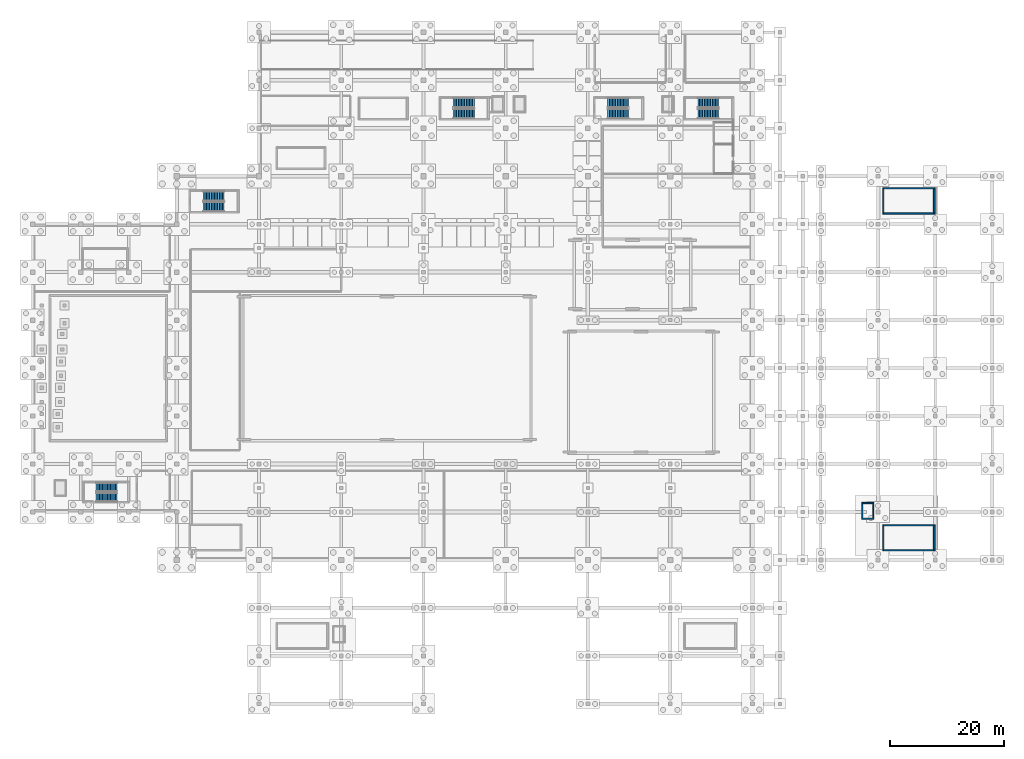
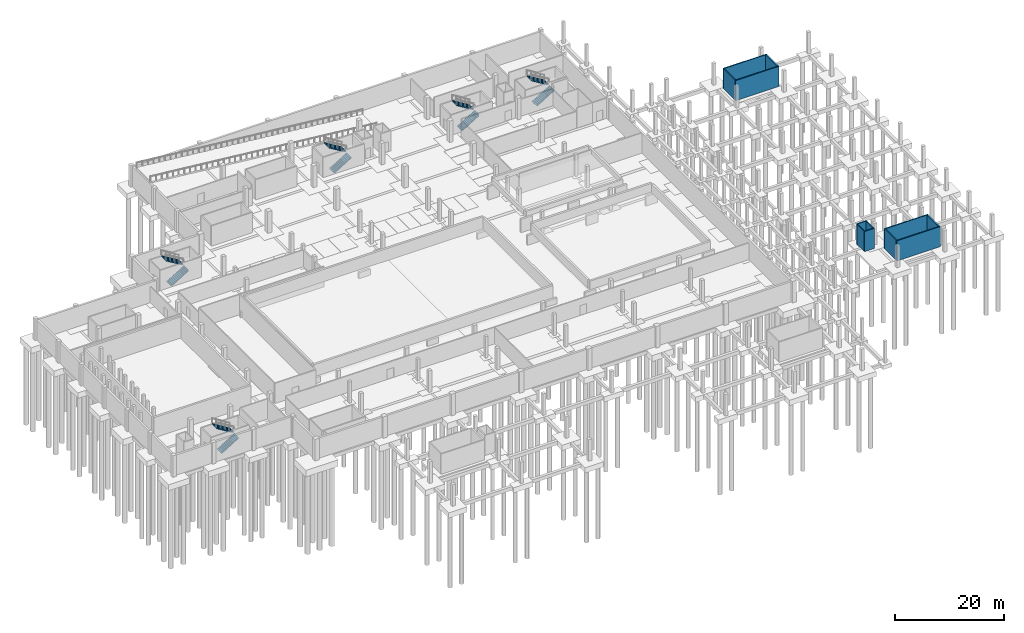
# One storey, part 19 of 26: 12 walls, 10 stair flights, 5 elements without a shape of their own.
"""IFC4 building model written with IfcOpenShell, lengths in metres."""

import ifcopenshell
import ifcopenshell.guid

model = None  # the IFC model being written
_history = None  # IfcOwnerHistory: only IFC2X3 demands one
_inside = {}  # id of a spatial element -> (the spatial element, [elements in it])
_under = {}  # id of a project, library or spatial element -> (it, [spatial elements below it])
_declared = {}  # id of a project -> (the project, [libraries it declares])
_typed = {}  # id of a type object -> (the type object, [elements of that type])
_made_of = {}  # id of a material, layer set ... -> (it, [elements and type objects made of it])


def new_model(schema):
    """Start an empty IFC model of exactly this schema.

    Asked for "IFC4X3", IfcOpenShell would pick the latest addendum, in which some entities
    have other attributes; the version numbers below select the first issue.
    IFC2X3 requires an IfcOwnerHistory on every rooted entity: one is made here for all.
    """
    global model, _history
    if schema == "IFC4X3":
        model = ifcopenshell.file(schema_version=(4, 3, 0, 0))
    else:
        model = ifcopenshell.file(schema=schema)
    _inside.clear()
    _under.clear()
    _declared.clear()
    _typed.clear()
    _made_of.clear()
    _history = None
    if model.schema == "IFC2X3":
        org = make("IfcOrganization", Name="unknown")
        user = make(
            "IfcPersonAndOrganization",
            ThePerson=make("IfcPerson", FamilyName="unknown"),
            TheOrganization=org,
        )
        app = make(
            "IfcApplication",
            ApplicationDeveloper=org,
            Version="unknown",
            ApplicationFullName="unknown",
            ApplicationIdentifier="unknown",
        )
        _history = make(
            "IfcOwnerHistory",
            OwningUser=user,
            OwningApplication=app,
            ChangeAction="ADDED",
            CreationDate=0,
        )
    return model


def make(cls, **values):
    """One entity of the class cls with the attributes given. An attribute that is None is left unset."""
    return model.create_entity(
        cls, **{name: value for name, value in values.items() if value is not None}
    )


def rooted(cls, **values):
    """An entity with a GlobalId (a new one), such as an element, a storey or a relation."""
    return make(cls, GlobalId=ifcopenshell.guid.new(), OwnerHistory=_history, **values)


def si_unit(unit_type, name, prefix=None):
    """IfcSIUnit, for example si_unit("LENGTHUNIT", "METRE", prefix="MILLI")."""
    return make("IfcSIUnit", UnitType=unit_type, Prefix=prefix, Name=name)


def assignment(units):
    """IfcUnitAssignment: the units of a project."""
    return None if units is None else make("IfcUnitAssignment", Units=units)


def point(xyz):
    """IfcCartesianPoint."""
    return None if xyz is None else make("IfcCartesianPoint", Coordinates=xyz)


def direction(xyz):
    """IfcDirection."""
    return None if xyz is None else make("IfcDirection", DirectionRatios=xyz)


def frame(location, z_axis=None, x_axis=None):
    """IfcAxis2Placement3D, a coordinate frame: its origin and axes. An axis left out is left unset."""
    return make(
        "IfcAxis2Placement3D",
        Location=point(location),
        Axis=direction(z_axis),
        RefDirection=direction(x_axis),
    )


def frame_2d(location, x_axis=None):
    """IfcAxis2Placement2D, a coordinate frame in the plane: its origin and x axis."""
    return make(
        "IfcAxis2Placement2D", Location=point(location), RefDirection=direction(x_axis)
    )


def origin():
    """The frame at (0, 0, 0) with its axes left unset."""
    return frame((0.0, 0.0, 0.0))


def place(relative_to, where):
    """IfcLocalPlacement: puts the frame where relative to a parent placement (None: the world)."""
    return make(
        "IfcLocalPlacement", PlacementRelTo=relative_to, RelativePlacement=where
    )


def context(
    kind, dimensions, precision=None, world=None, true_north=None, identifier=None
):
    """IfcGeometricRepresentationContext, for example the 3D "Model" context."""
    return make(
        "IfcGeometricRepresentationContext",
        ContextIdentifier=identifier,
        ContextType=kind,
        CoordinateSpaceDimension=dimensions,
        Precision=precision,
        WorldCoordinateSystem=world,
        TrueNorth=true_north,
    )


def subcontext(parent, identifier, kind, view, scale=None):
    """IfcGeometricRepresentationSubContext, for example "Body" below "Model"."""
    return make(
        "IfcGeometricRepresentationSubContext",
        ContextIdentifier=identifier,
        ContextType=kind,
        ParentContext=parent,
        TargetScale=scale,
        TargetView=view,
    )


def project(units=None, contexts=None):
    """IfcProject with its units and contexts."""
    return rooted(
        "IfcProject",
        Name="project",
        RepresentationContexts=contexts,
        UnitsInContext=assignment(units),
    )


def spatial(cls, under=None, at=None, **own):
    """A site, building, storey or space (cls), placed at a placement, below another one or the project."""
    s = rooted(cls, ObjectPlacement=at, **own)
    if under is not None:
        _under.setdefault(under.id(), (under, []))[1].append(s)
    return s


def polyline(points):
    """IfcPolyline through the points."""
    return make("IfcPolyline", Points=[point(p) for p in points])


def profile(cls, at=None, kind="AREA", **sizes):
    """A parametric profile (cls). Its sizes go by their IFC names, for example OverallWidth=200.0."""
    return make(cls, ProfileType=kind, Position=at, **sizes)


def rectangle(**sizes):
    """IfcRectangleProfileDef."""
    return profile("IfcRectangleProfileDef", **sizes)


def outline(outer, holes=None, kind="AREA"):
    """IfcArbitraryClosedProfileDef: a profile drawn as a closed curve; with holes, ...WithVoids."""
    if holes is None:
        return make("IfcArbitraryClosedProfileDef", ProfileType=kind, OuterCurve=outer)
    return make(
        "IfcArbitraryProfileDefWithVoids",
        ProfileType=kind,
        OuterCurve=outer,
        InnerCurves=holes,
    )


def extrude(swept, where, along, depth):
    """IfcExtrudedAreaSolid: the profile swept, set in the frame where, extruded along a direction by depth."""
    return make(
        "IfcExtrudedAreaSolid",
        SweptArea=swept,
        Position=where,
        ExtrudedDirection=direction(along),
        Depth=depth,
    )


def shape(context_of_items, identifier, shape_type, items):
    """IfcShapeRepresentation: the items that make up one representation, for example the "Body"."""
    return make(
        "IfcShapeRepresentation",
        ContextOfItems=context_of_items,
        RepresentationIdentifier=identifier,
        RepresentationType=shape_type,
        Items=items,
    )


def material(Name=None, Category=None):
    """IfcMaterial."""
    return make("IfcMaterial", Name=Name, Category=Category)


def layer(
    of_material, thickness, ventilated=None, Name=None, Category=None, Priority=None
):
    """IfcMaterialLayer: one layer of a wall or slab, of a material (None: an air gap)."""
    return make(
        "IfcMaterialLayer",
        Material=of_material,
        LayerThickness=thickness,
        IsVentilated=ventilated,
        Name=Name,
        Category=Category,
        Priority=Priority,
    )


def layer_set(layers, Name=None):
    """IfcMaterialLayerSet."""
    return make("IfcMaterialLayerSet", MaterialLayers=layers, LayerSetName=Name)


def made_of(thing, what):
    """Note that an element or type object is made of a material, layer set ...; save() writes the relation."""
    if what is not None:
        _made_of.setdefault(what.id(), (what, []))[1].append(thing)
    return thing


def type_object(cls, material=None, **own):
    """A type object (cls), such as IfcWallType, which elements share."""
    return made_of(rooted(cls, **own), material)


def element(
    cls,
    number,
    at=None,
    inside=None,
    cuts=None,
    type_object=None,
    material=None,
    context=None,
    identifier="Body",
    shape_type=None,
    held_by="IfcProductDefinitionShape",
    body=None,
    shapes=None,
    **own,
):
    """One element of the class cls, such as IfcWall. Its Tag is "e" and its number.

    at: its placement. inside: the storey or other place that contains it. cuts: it is an
    opening in that element (IfcRelVoidsElement). A single representation is given by context,
    identifier, shape_type and body (its items); several are given by shapes. held_by: the class
    of the entity that holds the representations. save() writes the other relations.
    """
    e = rooted(cls, Tag="e%d" % number, ObjectPlacement=at, **own)
    if body is not None:
        shapes = [shape(context, identifier, shape_type, body)]
    if shapes is not None:
        e.Representation = make(held_by, Representations=shapes)
    if inside is not None:
        _inside.setdefault(inside.id(), (inside, []))[1].append(e)
    if cuts is not None:
        rooted(
            "IfcRelVoidsElement", RelatingBuildingElement=cuts, RelatedOpeningElement=e
        )
    if type_object is not None:
        _typed.setdefault(type_object.id(), (type_object, []))[1].append(e)
    return made_of(e, material)


def aggregate(whole, parts):
    """IfcRelAggregates: a whole, such as a stair, and the parts it consists of."""
    return rooted("IfcRelAggregates", RelatingObject=whole, RelatedObjects=parts)


def save(model, path):
    """Write the relations noted so far, then the file.

    IfcRelAggregates (storeys below a building ...), IfcRelContainedInSpatialStructure (elements
    in a storey), IfcRelDefinesByType, IfcRelAssociatesMaterial and IfcRelDeclares: one each for
    every whole, place, type object, material and project.
    """
    for whole, parts in _under.values():
        aggregate(whole, parts)
    for where, things in _inside.values():
        rooted(
            "IfcRelContainedInSpatialStructure",
            RelatedElements=things,
            RelatingStructure=where,
        )
    for kind, things in _typed.values():
        rooted("IfcRelDefinesByType", RelatedObjects=things, RelatingType=kind)
    for what, things in _made_of.values():
        rooted("IfcRelAssociatesMaterial", RelatedObjects=things, RelatingMaterial=what)
    for by, libraries in _declared.values():
        rooted("IfcRelDeclares", RelatingContext=by, RelatedDefinitions=libraries)
    model.write(path)


model = new_model("IFC4")

# Units and contexts
model_context = context("Model", 3, precision=1e-05, world=origin(), true_north=direction((0.0, 1.0)))
body_context = subcontext(model_context, "Body", "Model", "MODEL_VIEW")
ifc_project = project(units=[si_unit("LENGTHUNIT", "METRE"), si_unit("AREAUNIT", "SQUARE_METRE"), si_unit("VOLUMEUNIT", "CUBIC_METRE"), si_unit("PLANEANGLEUNIT", "RADIAN"), si_unit("MASSUNIT", "GRAM", prefix="KILO"), si_unit("THERMODYNAMICTEMPERATUREUNIT", "KELVIN")], contexts=[model_context])

# Site, building, storey
site_placement = place(None, origin())
site = spatial("IfcSite", under=ifc_project, at=site_placement, CompositionType="ELEMENT")
building_placement = place(site_placement, origin())
building = spatial("IfcBuilding", under=site, at=building_placement, Name="Nduvali Passage Aquatics Centre", CompositionType="ELEMENT")
storey_placement = place(building_placement, frame((0.0, 0.0, -4.800048828125)))
storey = spatial("IfcBuildingStorey", under=building, at=storey_placement, Name="B01", CompositionType="ELEMENT", Elevation=-4.800048828125)

# Walls
ifc_material = material(Name="Concrete C40/50", Category="concrete")
ifc_layer_1 = layer(ifc_material, 0.219970703125, Name="Concrete C40/50")
ifc_layer_set_1 = layer_set([ifc_layer_1], Name="Concrete C40/50")
wall_type_1 = type_object("IfcWallType", Name="INT-WAL-CORE220", PredefinedType="SOLIDWALL", material=ifc_layer_set_1)
for number, where, z_axis, x_axis, name in (
    (1, (148.780029296875, 26.889892578125, 0.0), (0.0, 0.0, 1.0), (1.0, 0.0, 0.0), "B01 Stair ST7 Core Wall S"),
    (2, (158.0, 31.300048828125, 0.0), (0.0, 0.0, 1.0), (-1.0, 0.0, 0.0), "B01 Stair ST7 Core Wall N"),
):
    element("IfcWall", number, at=place(storey_placement, frame(where, z_axis=z_axis, x_axis=x_axis)), inside=storey, type_object=wall_type_1, Name=name, PredefinedType="SOLIDWALL", context=body_context, shape_type="SweptSolid", body=[
        extrude(rectangle(XDim=9.219970703125, YDim=0.219970703125, at=frame_2d((4.60986328125, 0.0))), origin(), (0.0, 0.0, 1.0), 4.5),
    ])
wall_1_placement = place(storey_placement, frame((148.889892578125, 31.18994140625, 0.0), z_axis=(0.0, 0.0, 1.0), x_axis=(0.0, -1.0, 0.0)))
element("IfcWall", 3, at=wall_1_placement, inside=storey, type_object=wall_type_1, Name="B01 Stair ST7 Core Wall W", PredefinedType="SOLIDWALL", context=body_context, shape_type="SweptSolid", body=[
    extrude(rectangle(XDim=4.18994140625, YDim=0.219970703125, at=frame_2d((2.094970703125, 0.0))), origin(), (0.0, 0.0, 1.0), 4.5),
])
for number, where, z_axis, x_axis, name in (
    (4, (148.780029296875, 85.889892578125, 0.0), (0.0, 0.0, 1.0), (1.0, 0.0, 0.0), "B01 Stair ST8 Core Wall S"),
    (5, (158.0, 90.300048828125, 0.0), (0.0, 0.0, 1.0), (-1.0, 0.0, 0.0), "B01 Stair ST8 Core Wall N"),
):
    element("IfcWall", number, at=place(storey_placement, frame(where, z_axis=z_axis, x_axis=x_axis)), inside=storey, type_object=wall_type_1, Name=name, PredefinedType="SOLIDWALL", context=body_context, shape_type="SweptSolid", body=[
        extrude(rectangle(XDim=9.219970703125, YDim=0.219970703125, at=frame_2d((4.60986328125, 0.0))), origin(), (0.0, 0.0, 1.0), 4.5),
    ])
wall_2_placement = place(storey_placement, frame((148.889892578125, 90.18994140625, 0.0), z_axis=(0.0, 0.0, 1.0), x_axis=(0.0, -1.0, 0.0)))
element("IfcWall", 6, at=wall_2_placement, inside=storey, type_object=wall_type_1, Name="B01 Stair ST8 Core Wall W", PredefinedType="SOLIDWALL", context=body_context, shape_type="SweptSolid", body=[
    extrude(rectangle(XDim=4.18994140625, YDim=0.219970703125, at=frame_2d((2.094970703125, 0.0))), origin(), (0.0, 0.0, 1.0), 4.5),
])
ifc_layer_2 = layer(ifc_material, 0.18994140625, Name="Concrete C40/50")
ifc_layer_set_2 = layer_set([ifc_layer_2], Name="Concrete C40/50")
wall_type_2 = type_object("IfcWallType", Name="INT-WAL-SHAFT200", PredefinedType="SOLIDWALL", material=ifc_layer_set_2)
wall_3_placement = place(storey_placement, frame((145.1298828125, 32.425048828125, 0.0), z_axis=(0.0, 0.0, 1.0), x_axis=(1.0, 0.0, 0.0)))
element("IfcWall", 7, at=wall_3_placement, inside=storey, type_object=wall_type_2, Name="B01 Lift L6 Shaft Wall S", PredefinedType="SOLIDWALL", context=body_context, shape_type="SweptSolid", body=[
    extrude(rectangle(XDim=2.14013671875, YDim=0.18994140625, at=frame_2d((1.070068359375, 0.0))), origin(), (0.0, 0.0, 1.0), 4.5),
])
wall_4_placement = place(storey_placement, frame((147.175048828125, 32.52001953125, 0.0), z_axis=(0.0, 0.0, 1.0), x_axis=(0.0, 1.0, 0.0)))
element("IfcWall", 8, at=wall_4_placement, inside=storey, type_object=wall_type_2, Name="B01 Lift L6 Shaft Wall E", PredefinedType="SOLIDWALL", context=body_context, shape_type="SweptSolid", body=[
    extrude(rectangle(XDim=2.56005859375, YDim=0.18994140625, at=frame_2d((1.280029296875, 0.0))), origin(), (0.0, 0.0, 1.0), 4.5),
])
wall_5_placement = place(storey_placement, frame((147.27001953125, 35.175048828125, 0.0), z_axis=(0.0, 0.0, 1.0), x_axis=(-1.0, 0.0, 0.0)))
element("IfcWall", 9, at=wall_5_placement, inside=storey, type_object=wall_type_2, Name="B01 Lift L6 Shaft Wall N", PredefinedType="SOLIDWALL", context=body_context, shape_type="SweptSolid", body=[
    extrude(rectangle(XDim=2.14013671875, YDim=0.18994140625, at=frame_2d((1.070068359375, 0.0))), origin(), (0.0, 0.0, 1.0), 4.5),
])
wall_6_placement = place(storey_placement, frame((145.22509765625, 35.080078125, 0.0), z_axis=(0.0, 0.0, 1.0), x_axis=(0.0, -1.0, 0.0)))
element("IfcWall", 10, at=wall_6_placement, inside=storey, type_object=wall_type_2, Name="B01 Lift L6 Shaft Wall W", PredefinedType="SOLIDWALL", context=body_context, shape_type="SweptSolid", body=[
    extrude(rectangle(XDim=2.56005859375, YDim=0.18994140625, at=frame_2d((1.280029296875, 0.0))), origin(), (0.0, 0.0, 1.0), 4.5),
])
ifc_layer_3 = layer(ifc_material, 0.300048828125, Name="Concrete C40/50")
ifc_layer_set_3 = layer_set([ifc_layer_3], Name="Concrete C40/50")
wall_type_3 = type_object("IfcWallType", Name="STR-WAL-SHR300", PredefinedType="SHEAR", material=ifc_layer_set_3)
for number, where, z_axis, x_axis, name in (
    (11, (157.85009765625, 27.0, 0.0), (0.0, 0.0, 1.0), (0.0, 1.0, 0.0), "B01 Stair ST7 Core Shear Wall E"),
    (12, (157.85009765625, 86.0, 0.0), (0.0, 0.0, 1.0), (0.0, 1.0, 0.0), "B01 Stair ST8 Core Shear Wall E"),
):
    element("IfcWall", number, at=place(storey_placement, frame(where, z_axis=z_axis, x_axis=x_axis)), inside=storey, type_object=wall_type_3, Name=name, PredefinedType="SHEAR", context=body_context, shape_type="SweptSolid", body=[
        extrude(rectangle(XDim=4.18994140625, YDim=0.300048828125, at=frame_2d((2.094970703125, 0.0))), origin(), (0.0, 0.0, 1.0), 4.5),
    ])

# Stair, stair flights
stair_type_1 = type_object("IfcStairType", Name="INT-STR-CORE160", PredefinedType="HALF_TURN_STAIR", material=ifc_material)
stair_1_placement = place(storey_placement, origin())
stair_1 = element("IfcStair", 13, at=stair_1_placement, inside=storey, type_object=stair_type_1, Name="B01 ST9", PredefinedType="HALF_TURN_STAIR")
stair_flight_type_1 = type_object("IfcStairFlightType", Name="INT-FLT-160", PredefinedType="STRAIGHT", material=ifc_material)
stair_flight_1_placement = place(storey_placement, frame((11.10009765625, 36.199951171875, 0.0), z_axis=(0.0, 0.0, 1.0), x_axis=(1.0, 0.0, 0.0)))
stair_flight_1 = element("IfcStairFlight", 14, at=stair_flight_1_placement, type_object=stair_flight_type_1, Name="ST9 flight 1", NumberOfRisers=14, NumberOfTreads=13, PredefinedType="STRAIGHT", RiserHeight=0.171428571, TreadLength=0.28, context=body_context, shape_type="SweptSolid", body=[
    extrude(outline(polyline([(0.0, 0.0), (0.0, 0.17138671875), (0.280029296875, 0.17138671875), (0.280029296875, 0.3427734375), (0.56005859375, 0.3427734375), (0.56005859375, 0.514404296875), (0.840087890625, 0.514404296875), (0.840087890625, 0.685791015625), (1.1201171875, 0.685791015625), (1.1201171875, 0.857177734375), (1.39990234375, 0.857177734375), (1.39990234375, 1.028564453125), (1.679931640625, 1.028564453125), (1.679931640625, 1.199951171875), (1.9599609375, 1.199951171875), (1.9599609375, 1.371337890625), (2.239990234375, 1.371337890625), (2.239990234375, 1.54296875), (2.52001953125, 1.54296875), (2.52001953125, 1.71435546875), (2.800048828125, 1.71435546875), (2.800048828125, 1.8857421875), (3.080078125, 1.8857421875), (3.080078125, 2.05712890625), (3.360107421875, 2.05712890625), (3.360107421875, 2.228515625), (3.639892578125, 2.228515625), (3.639892578125, 2.39990234375), (3.640625, 2.39990234375), (3.640625, 2.199951171875), (3.639892578125, 2.052734375), (0.287109375, 0.0), (0.0, 0.0)])), frame((0.0, 0.800048828125, 0.0), z_axis=(0.0, -1.0, 0.0), x_axis=(1.0, 0.0, 0.0)), (0.0, 0.0, 1.0), 1.60009765625),
])
stair_flight_2_placement = place(storey_placement, frame((14.739990234375, 37.949951171875, 2.400146484375), z_axis=(0.0, 0.0, 1.0), x_axis=(-1.0, 0.0, 0.0)))
stair_flight_2 = element("IfcStairFlight", 15, at=stair_flight_2_placement, type_object=stair_flight_type_1, Name="ST9 flight 2", NumberOfRisers=14, NumberOfTreads=13, PredefinedType="STRAIGHT", RiserHeight=0.171428571, TreadLength=0.28, context=body_context, shape_type="SweptSolid", body=[
    extrude(outline(polyline([(0.0, 0.0), (0.0, 0.17138671875), (0.280029296875, 0.17138671875), (0.280029296875, 0.3427734375), (0.56005859375, 0.3427734375), (0.56005859375, 0.514404296875), (0.840087890625, 0.514404296875), (0.840087890625, 0.685791015625), (1.1201171875, 0.685791015625), (1.1201171875, 0.857177734375), (1.39990234375, 0.857177734375), (1.39990234375, 1.028564453125), (1.679931640625, 1.028564453125), (1.679931640625, 1.199951171875), (1.9599609375, 1.199951171875), (1.9599609375, 1.371337890625), (2.239990234375, 1.371337890625), (2.239990234375, 1.54296875), (2.52001953125, 1.54296875), (2.52001953125, 1.71435546875), (2.800048828125, 1.71435546875), (2.800048828125, 1.8857421875), (3.080078125, 1.8857421875), (3.080078125, 2.05712890625), (3.360107421875, 2.05712890625), (3.360107421875, 2.228515625), (3.639892578125, 2.228515625), (3.639892578125, 2.39990234375), (3.640625, 2.39990234375), (3.640625, 2.199951171875), (3.639892578125, 2.052734375), (0.287109375, 0.0), (0.0, 0.0)])), frame((0.0, 0.800048828125, 0.0), z_axis=(0.0, -1.0, 0.0), x_axis=(1.0, 0.0, 0.0)), (0.0, 0.0, 1.0), 1.60009765625),
])
aggregate(stair_1, [stair_flight_1, stair_flight_2])

stair_type_2 = type_object("IfcStairType", Name="INT-STR-CORE172", PredefinedType="HALF_TURN_STAIR", material=ifc_material)
stair_2_placement = place(storey_placement, origin())
stair_2 = element("IfcStair", 16, at=stair_2_placement, inside=storey, type_object=stair_type_2, Name="B01 ST1", PredefinedType="HALF_TURN_STAIR")
stair_flight_type_2 = type_object("IfcStairFlightType", Name="INT-FLT-172", PredefinedType="STRAIGHT", material=ifc_material)
stair_flight_3_placement = place(storey_placement, frame((73.64990234375, 103.360107421875, 0.0), z_axis=(0.0, 0.0, 1.0), x_axis=(1.0, 0.0, 0.0)))
stair_flight_3 = element("IfcStairFlight", 17, at=stair_flight_3_placement, type_object=stair_flight_type_2, Name="ST1 flight 1", NumberOfRisers=14, NumberOfTreads=13, PredefinedType="STRAIGHT", RiserHeight=0.171428571, TreadLength=0.28, context=body_context, shape_type="SweptSolid", body=[
    extrude(outline(polyline([(0.0, 0.0), (0.0, 0.17138671875), (0.280029296875, 0.17138671875), (0.280029296875, 0.3427734375), (0.56005859375, 0.3427734375), (0.56005859375, 0.514404296875), (0.840087890625, 0.514404296875), (0.840087890625, 0.685791015625), (1.1201171875, 0.685791015625), (1.1201171875, 0.857177734375), (1.39990234375, 0.857177734375), (1.39990234375, 1.028564453125), (1.679931640625, 1.028564453125), (1.679931640625, 1.199951171875), (1.9599609375, 1.199951171875), (1.9599609375, 1.371337890625), (2.239990234375, 1.371337890625), (2.239990234375, 1.54296875), (2.52001953125, 1.54296875), (2.52001953125, 1.71435546875), (2.800048828125, 1.71435546875), (2.800048828125, 1.8857421875), (3.080078125, 1.8857421875), (3.080078125, 2.05712890625), (3.360107421875, 2.05712890625), (3.360107421875, 2.228515625), (3.639892578125, 2.228515625), (3.639892578125, 2.39990234375), (3.640625, 2.39990234375), (3.640625, 2.199951171875), (3.639892578125, 2.052734375), (0.287109375, 0.0), (0.0, 0.0)])), frame((0.0, 0.85986328125, 0.0), z_axis=(0.0, -1.0, 0.0), x_axis=(1.0, 0.0, 0.0)), (0.0, 0.0, 1.0), 1.719970703125),
])
stair_flight_4_placement = place(storey_placement, frame((77.2900390625, 105.22998046875, 2.400146484375), z_axis=(0.0, 0.0, 1.0), x_axis=(-1.0, 0.0, 0.0)))
stair_flight_4 = element("IfcStairFlight", 18, at=stair_flight_4_placement, type_object=stair_flight_type_2, Name="ST1 flight 2", NumberOfRisers=14, NumberOfTreads=13, PredefinedType="STRAIGHT", RiserHeight=0.171428571, TreadLength=0.28, context=body_context, shape_type="SweptSolid", body=[
    extrude(outline(polyline([(0.0, 0.0), (0.0, 0.17138671875), (0.280029296875, 0.17138671875), (0.280029296875, 0.3427734375), (0.56005859375, 0.3427734375), (0.56005859375, 0.514404296875), (0.840087890625, 0.514404296875), (0.840087890625, 0.685791015625), (1.1201171875, 0.685791015625), (1.1201171875, 0.857177734375), (1.39990234375, 0.857177734375), (1.39990234375, 1.028564453125), (1.679931640625, 1.028564453125), (1.679931640625, 1.199951171875), (1.9599609375, 1.199951171875), (1.9599609375, 1.371337890625), (2.239990234375, 1.371337890625), (2.239990234375, 1.54296875), (2.52001953125, 1.54296875), (2.52001953125, 1.71435546875), (2.800048828125, 1.71435546875), (2.800048828125, 1.8857421875), (3.080078125, 1.8857421875), (3.080078125, 2.05712890625), (3.360107421875, 2.05712890625), (3.360107421875, 2.228515625), (3.639892578125, 2.228515625), (3.639892578125, 2.39990234375), (3.640625, 2.39990234375), (3.640625, 2.199951171875), (3.639892578125, 2.052734375), (0.287109375, 0.0), (0.0, 0.0)])), frame((0.0, 0.85986328125, 0.0), z_axis=(0.0, -1.0, 0.0), x_axis=(1.0, 0.0, 0.0)), (0.0, 0.0, 1.0), 1.719970703125),
])
aggregate(stair_2, [stair_flight_3, stair_flight_4])

stair_3_placement = place(storey_placement, origin())
stair_3 = element("IfcStair", 19, at=stair_3_placement, inside=storey, type_object=stair_type_2, Name="B01 ST2", PredefinedType="HALF_TURN_STAIR")
stair_flight_5_placement = place(storey_placement, frame((116.449951171875, 103.360107421875, 0.0), z_axis=(0.0, 0.0, 1.0), x_axis=(1.0, 0.0, 0.0)))
stair_flight_5 = element("IfcStairFlight", 20, at=stair_flight_5_placement, type_object=stair_flight_type_2, Name="ST2 flight 1", NumberOfRisers=14, NumberOfTreads=13, PredefinedType="STRAIGHT", RiserHeight=0.171428571, TreadLength=0.28, context=body_context, shape_type="SweptSolid", body=[
    extrude(outline(polyline([(0.0, 0.0), (0.0, 0.17138671875), (0.280029296875, 0.17138671875), (0.280029296875, 0.3427734375), (0.56005859375, 0.3427734375), (0.56005859375, 0.514404296875), (0.840087890625, 0.514404296875), (0.840087890625, 0.685791015625), (1.1201171875, 0.685791015625), (1.1201171875, 0.857177734375), (1.39990234375, 0.857177734375), (1.39990234375, 1.028564453125), (1.679931640625, 1.028564453125), (1.679931640625, 1.199951171875), (1.9599609375, 1.199951171875), (1.9599609375, 1.371337890625), (2.239990234375, 1.371337890625), (2.239990234375, 1.54296875), (2.52001953125, 1.54296875), (2.52001953125, 1.71435546875), (2.800048828125, 1.71435546875), (2.800048828125, 1.8857421875), (3.080078125, 1.8857421875), (3.080078125, 2.05712890625), (3.360107421875, 2.05712890625), (3.360107421875, 2.228515625), (3.639892578125, 2.228515625), (3.639892578125, 2.39990234375), (3.640625, 2.39990234375), (3.640625, 2.199951171875), (3.639892578125, 2.052734375), (0.287109375, 0.0), (0.0, 0.0)])), frame((0.0, 0.85986328125, 0.0), z_axis=(0.0, -1.0, 0.0), x_axis=(1.0, 0.0, 0.0)), (0.0, 0.0, 1.0), 1.719970703125),
])
stair_flight_6_placement = place(storey_placement, frame((120.090087890625, 105.22998046875, 2.400146484375), z_axis=(0.0, 0.0, 1.0), x_axis=(-1.0, 0.0, 0.0)))
stair_flight_6 = element("IfcStairFlight", 21, at=stair_flight_6_placement, type_object=stair_flight_type_2, Name="ST2 flight 2", NumberOfRisers=14, NumberOfTreads=13, PredefinedType="STRAIGHT", RiserHeight=0.171428571, TreadLength=0.28, context=body_context, shape_type="SweptSolid", body=[
    extrude(outline(polyline([(0.0, 0.0), (0.0, 0.17138671875), (0.280029296875, 0.17138671875), (0.280029296875, 0.3427734375), (0.56005859375, 0.3427734375), (0.56005859375, 0.514404296875), (0.840087890625, 0.514404296875), (0.840087890625, 0.685791015625), (1.1201171875, 0.685791015625), (1.1201171875, 0.857177734375), (1.39990234375, 0.857177734375), (1.39990234375, 1.028564453125), (1.679931640625, 1.028564453125), (1.679931640625, 1.199951171875), (1.9599609375, 1.199951171875), (1.9599609375, 1.371337890625), (2.239990234375, 1.371337890625), (2.239990234375, 1.54296875), (2.52001953125, 1.54296875), (2.52001953125, 1.71435546875), (2.800048828125, 1.71435546875), (2.800048828125, 1.8857421875), (3.080078125, 1.8857421875), (3.080078125, 2.05712890625), (3.360107421875, 2.05712890625), (3.360107421875, 2.228515625), (3.639892578125, 2.228515625), (3.639892578125, 2.39990234375), (3.640625, 2.39990234375), (3.640625, 2.199951171875), (3.639892578125, 2.052734375), (0.287109375, 0.0), (0.0, 0.0)])), frame((0.0, 0.85986328125, 0.0), z_axis=(0.0, -1.0, 0.0), x_axis=(1.0, 0.0, 0.0)), (0.0, 0.0, 1.0), 1.719970703125),
])
aggregate(stair_3, [stair_flight_5, stair_flight_6])

stair_4_placement = place(storey_placement, origin())
stair_4 = element("IfcStair", 22, at=stair_4_placement, inside=storey, type_object=stair_type_2, Name="B01 ST10", PredefinedType="HALF_TURN_STAIR")
stair_flight_7_placement = place(storey_placement, frame((29.85009765625, 87.06005859375, 0.0), z_axis=(0.0, 0.0, 1.0), x_axis=(1.0, 0.0, 0.0)))
stair_flight_7 = element("IfcStairFlight", 23, at=stair_flight_7_placement, type_object=stair_flight_type_2, Name="ST10 flight 1", NumberOfRisers=14, NumberOfTreads=13, PredefinedType="STRAIGHT", RiserHeight=0.171428571, TreadLength=0.28, context=body_context, shape_type="SweptSolid", body=[
    extrude(outline(polyline([(0.0, 0.0), (0.0, 0.17138671875), (0.280029296875, 0.17138671875), (0.280029296875, 0.3427734375), (0.56005859375, 0.3427734375), (0.56005859375, 0.514404296875), (0.840087890625, 0.514404296875), (0.840087890625, 0.685791015625), (1.1201171875, 0.685791015625), (1.1201171875, 0.857177734375), (1.39990234375, 0.857177734375), (1.39990234375, 1.028564453125), (1.679931640625, 1.028564453125), (1.679931640625, 1.199951171875), (1.9599609375, 1.199951171875), (1.9599609375, 1.371337890625), (2.239990234375, 1.371337890625), (2.239990234375, 1.54296875), (2.52001953125, 1.54296875), (2.52001953125, 1.71435546875), (2.800048828125, 1.71435546875), (2.800048828125, 1.8857421875), (3.080078125, 1.8857421875), (3.080078125, 2.05712890625), (3.360107421875, 2.05712890625), (3.360107421875, 2.228515625), (3.639892578125, 2.228515625), (3.639892578125, 2.39990234375), (3.640625, 2.39990234375), (3.640625, 2.199951171875), (3.639892578125, 2.052734375), (0.287109375, 0.0), (0.0, 0.0)])), frame((0.0, 0.85986328125, 0.0), z_axis=(0.0, -1.0, 0.0), x_axis=(1.0, 0.0, 0.0)), (0.0, 0.0, 1.0), 1.719970703125),
])
stair_flight_8_placement = place(storey_placement, frame((33.489990234375, 88.929931640625, 2.400146484375), z_axis=(0.0, 0.0, 1.0), x_axis=(-1.0, 0.0, 0.0)))
stair_flight_8 = element("IfcStairFlight", 24, at=stair_flight_8_placement, type_object=stair_flight_type_2, Name="ST10 flight 2", NumberOfRisers=14, NumberOfTreads=13, PredefinedType="STRAIGHT", RiserHeight=0.171428571, TreadLength=0.28, context=body_context, shape_type="SweptSolid", body=[
    extrude(outline(polyline([(0.0, 0.0), (0.0, 0.17138671875), (0.280029296875, 0.17138671875), (0.280029296875, 0.3427734375), (0.56005859375, 0.3427734375), (0.56005859375, 0.514404296875), (0.840087890625, 0.514404296875), (0.840087890625, 0.685791015625), (1.1201171875, 0.685791015625), (1.1201171875, 0.857177734375), (1.39990234375, 0.857177734375), (1.39990234375, 1.028564453125), (1.679931640625, 1.028564453125), (1.679931640625, 1.199951171875), (1.9599609375, 1.199951171875), (1.9599609375, 1.371337890625), (2.239990234375, 1.371337890625), (2.239990234375, 1.54296875), (2.52001953125, 1.54296875), (2.52001953125, 1.71435546875), (2.800048828125, 1.71435546875), (2.800048828125, 1.8857421875), (3.080078125, 1.8857421875), (3.080078125, 2.05712890625), (3.360107421875, 2.05712890625), (3.360107421875, 2.228515625), (3.639892578125, 2.228515625), (3.639892578125, 2.39990234375), (3.640625, 2.39990234375), (3.640625, 2.199951171875), (3.639892578125, 2.052734375), (0.287109375, 0.0), (0.0, 0.0)])), frame((0.0, 0.85986328125, 0.0), z_axis=(0.0, -1.0, 0.0), x_axis=(1.0, 0.0, 0.0)), (0.0, 0.0, 1.0), 1.719970703125),
])
aggregate(stair_4, [stair_flight_7, stair_flight_8])

stair_5_placement = place(storey_placement, origin())
stair_5 = element("IfcStair", 25, at=stair_5_placement, inside=storey, type_object=stair_type_2, Name="B01 ST11", PredefinedType="HALF_TURN_STAIR")
stair_flight_9_placement = place(storey_placement, frame((100.64990234375, 103.360107421875, 0.0), z_axis=(0.0, 0.0, 1.0), x_axis=(1.0, 0.0, 0.0)))
stair_flight_9 = element("IfcStairFlight", 26, at=stair_flight_9_placement, type_object=stair_flight_type_2, Name="ST11 flight 1", NumberOfRisers=14, NumberOfTreads=13, PredefinedType="STRAIGHT", RiserHeight=0.171428571, TreadLength=0.28, context=body_context, shape_type="SweptSolid", body=[
    extrude(outline(polyline([(0.0, 0.0), (0.0, 0.17138671875), (0.280029296875, 0.17138671875), (0.280029296875, 0.3427734375), (0.56005859375, 0.3427734375), (0.56005859375, 0.514404296875), (0.840087890625, 0.514404296875), (0.840087890625, 0.685791015625), (1.1201171875, 0.685791015625), (1.1201171875, 0.857177734375), (1.39990234375, 0.857177734375), (1.39990234375, 1.028564453125), (1.679931640625, 1.028564453125), (1.679931640625, 1.199951171875), (1.9599609375, 1.199951171875), (1.9599609375, 1.371337890625), (2.239990234375, 1.371337890625), (2.239990234375, 1.54296875), (2.52001953125, 1.54296875), (2.52001953125, 1.71435546875), (2.800048828125, 1.71435546875), (2.800048828125, 1.8857421875), (3.080078125, 1.8857421875), (3.080078125, 2.05712890625), (3.360107421875, 2.05712890625), (3.360107421875, 2.228515625), (3.639892578125, 2.228515625), (3.639892578125, 2.39990234375), (3.640625, 2.39990234375), (3.640625, 2.199951171875), (3.639892578125, 2.052734375), (0.287109375, 0.0), (0.0, 0.0)])), frame((0.0, 0.85986328125, 0.0), z_axis=(0.0, -1.0, 0.0), x_axis=(1.0, 0.0, 0.0)), (0.0, 0.0, 1.0), 1.719970703125),
])
stair_flight_10_placement = place(storey_placement, frame((104.2900390625, 105.22998046875, 2.400146484375), z_axis=(0.0, 0.0, 1.0), x_axis=(-1.0, 0.0, 0.0)))
stair_flight_10 = element("IfcStairFlight", 27, at=stair_flight_10_placement, type_object=stair_flight_type_2, Name="ST11 flight 2", NumberOfRisers=14, NumberOfTreads=13, PredefinedType="STRAIGHT", RiserHeight=0.171428571, TreadLength=0.28, context=body_context, shape_type="SweptSolid", body=[
    extrude(outline(polyline([(0.0, 0.0), (0.0, 0.17138671875), (0.280029296875, 0.17138671875), (0.280029296875, 0.3427734375), (0.56005859375, 0.3427734375), (0.56005859375, 0.514404296875), (0.840087890625, 0.514404296875), (0.840087890625, 0.685791015625), (1.1201171875, 0.685791015625), (1.1201171875, 0.857177734375), (1.39990234375, 0.857177734375), (1.39990234375, 1.028564453125), (1.679931640625, 1.028564453125), (1.679931640625, 1.199951171875), (1.9599609375, 1.199951171875), (1.9599609375, 1.371337890625), (2.239990234375, 1.371337890625), (2.239990234375, 1.54296875), (2.52001953125, 1.54296875), (2.52001953125, 1.71435546875), (2.800048828125, 1.71435546875), (2.800048828125, 1.8857421875), (3.080078125, 1.8857421875), (3.080078125, 2.05712890625), (3.360107421875, 2.05712890625), (3.360107421875, 2.228515625), (3.639892578125, 2.228515625), (3.639892578125, 2.39990234375), (3.640625, 2.39990234375), (3.640625, 2.199951171875), (3.639892578125, 2.052734375), (0.287109375, 0.0), (0.0, 0.0)])), frame((0.0, 0.85986328125, 0.0), z_axis=(0.0, -1.0, 0.0), x_axis=(1.0, 0.0, 0.0)), (0.0, 0.0, 1.0), 1.719970703125),
])
aggregate(stair_5, [stair_flight_9, stair_flight_10])

save(model, "model.ifc")
